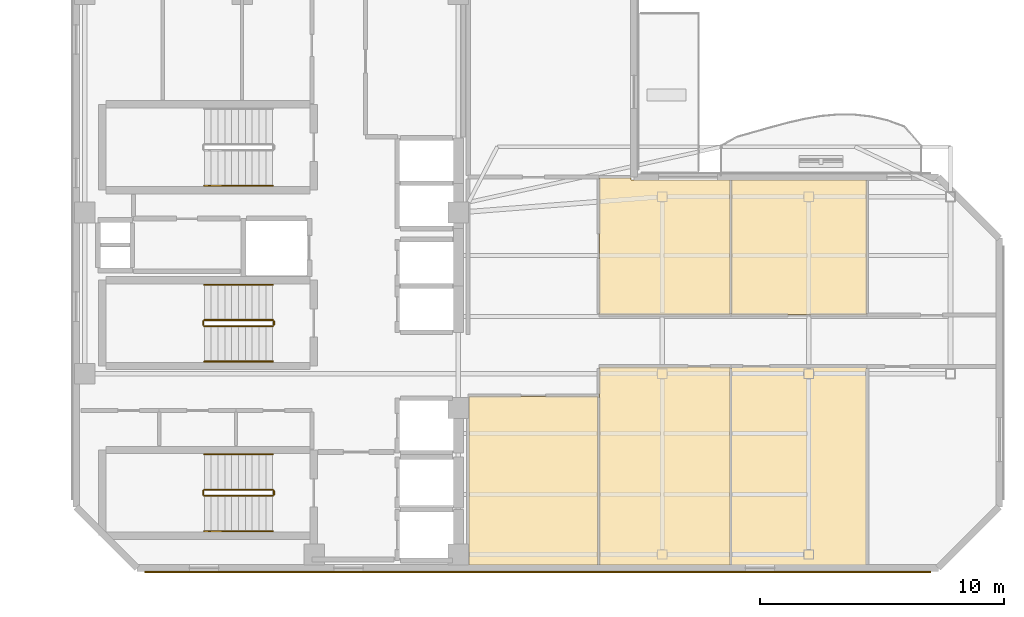
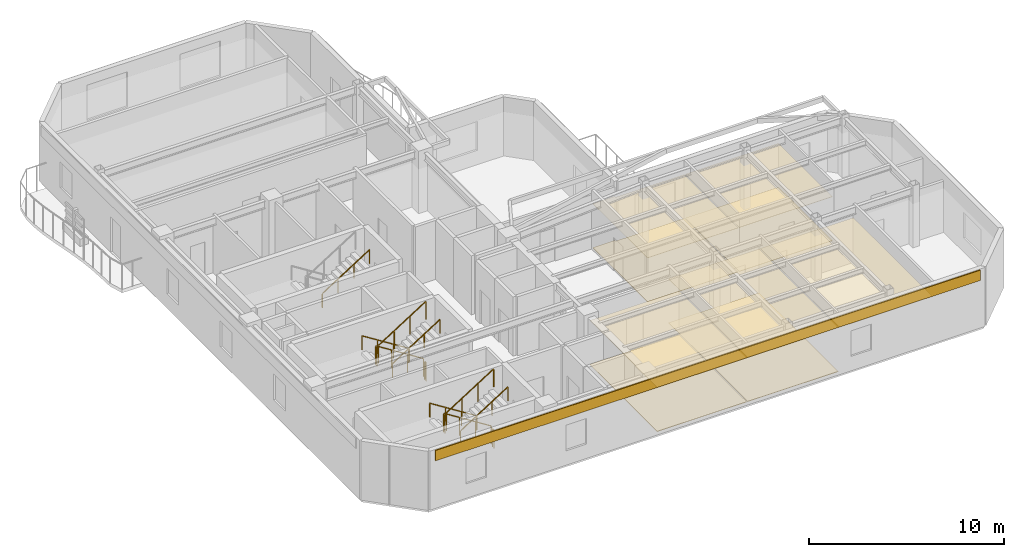
# One storey, part 6 of 8: 13 railings, 10 coverings.
"""IFC4 building model written with IfcOpenShell, lengths in metres."""

from ifc_helpers import new_model, si_unit, direction, frame, origin, origin_2d, place, context, subcontext, project, spatial, polyline, rectangle, outline, extrude, material, layer, layer_set, type_object, element, save


model = new_model("IFC4")

# Units and contexts
model_context = context("Model", 3, precision=1e-05, world=origin(), true_north=direction((0.0, 1.0)))
body_context = subcontext(model_context, "Body", "Model", "MODEL_VIEW")
ifc_project = project(units=[si_unit("LENGTHUNIT", "METRE"), si_unit("AREAUNIT", "SQUARE_METRE"), si_unit("VOLUMEUNIT", "CUBIC_METRE"), si_unit("PLANEANGLEUNIT", "RADIAN"), si_unit("MASSUNIT", "GRAM", prefix="KILO")], contexts=[model_context])

# Site, building, storey
site_placement = place(None, origin())
site = spatial("IfcSite", under=ifc_project, at=site_placement, CompositionType="ELEMENT")
building_placement = place(site_placement, origin())
building = spatial("IfcBuilding", under=site, at=building_placement, Name="Mawjaban Terraces University", CompositionType="ELEMENT")
storey_placement = place(building_placement, frame((0.0, 0.0, 248.199951171875)))
storey = spatial("IfcBuildingStorey", under=building, at=storey_placement, Name="L60", CompositionType="ELEMENT", Elevation=248.199951171875)

# Coverings
ifc_material_1 = material(Name="Acoustic mineral fibre ceiling tile", Category="masonry")
ifc_layer_1 = layer(ifc_material_1, 0.02001953125)
ifc_layer_set_1 = layer_set([ifc_layer_1], Name="Acoustic mineral fibre ceiling tile")
covering_type_1 = type_object("IfcCoveringType", Name="AcousticMineralCeiling_20", PredefinedType="CEILING", material=ifc_layer_set_1)
covering_1_placement = place(storey_placement, frame((0.0, 0.0, 2.75)))
element("IfcCovering", 1, at=covering_1_placement, inside=storey, type_object=covering_type_1, Name="L60 Classroom 1 Acoustic Ceiling", PredefinedType="CEILING", context=body_context, shape_type="SweptSolid", body=[
    extrude(outline(polyline([(38.080078125, 7.02001953125), (38.080078125, 0.114990234375), (43.3701171875, 0.114990234375), (43.3701171875, 7.02001953125), (38.080078125, 7.02001953125)])), origin(), (0.0, 0.0, 1.0), 0.02001953125),
])
covering_2_placement = place(storey_placement, frame((0.0, 0.0, 2.75)))
element("IfcCovering", 2, at=covering_2_placement, inside=storey, type_object=covering_type_1, Name="L60 Seminar Room 2 Acoustic Ceiling", PredefinedType="CEILING", context=body_context, shape_type="SweptSolid", body=[
    extrude(outline(polyline([(43.429931640625, 0.114990234375), (48.781982421875, 0.114990234375), (48.781982421875, 8.219970703125), (43.429931640625, 8.219970703125), (43.429931640625, 0.114990234375)])), origin(), (0.0, 0.0, 1.0), 0.02001953125),
])
covering_3_placement = place(storey_placement, frame((0.0, 0.0, 2.75)))
element("IfcCovering", 3, at=covering_3_placement, inside=storey, type_object=covering_type_1, Name="L60 Classroom 3 Acoustic Ceiling", PredefinedType="CEILING", context=body_context, shape_type="SweptSolid", body=[
    extrude(outline(polyline([(48.781982421875, 15.885009765625), (44.72509765625, 15.885009765625), (44.72509765625, 15.969970703125), (43.429931640625, 15.969970703125), (43.429931640625, 10.3798828125), (48.781982421875, 10.3798828125), (48.781982421875, 15.885009765625)])), origin(), (0.0, 0.0, 1.0), 0.02001953125),
])
covering_4_placement = place(storey_placement, frame((0.0, 0.0, 2.75)))
element("IfcCovering", 4, at=covering_4_placement, inside=storey, type_object=covering_type_1, Name="L60 Teaching Laboratory 4 Acoustic Ceiling", PredefinedType="CEILING", context=body_context, shape_type="SweptSolid", body=[
    extrude(outline(polyline([(48.842041015625, 0.114990234375), (54.35791015625, 0.114990234375), (54.35791015625, 8.219970703125), (48.842041015625, 8.219970703125), (48.842041015625, 0.114990234375)])), origin(), (0.0, 0.0, 1.0), 0.02001953125),
])
covering_5_placement = place(storey_placement, frame((0.0, 0.0, 2.75)))
element("IfcCovering", 5, at=covering_5_placement, inside=storey, type_object=covering_type_1, Name="L60 Seminar Room 5 Acoustic Ceiling", PredefinedType="CEILING", context=body_context, shape_type="SweptSolid", body=[
    extrude(outline(polyline([(54.35791015625, 15.885009765625), (48.842041015625, 15.885009765625), (48.842041015625, 10.3798828125), (54.35791015625, 10.3798828125), (54.35791015625, 15.885009765625)])), origin(), (0.0, 0.0, 1.0), 0.02001953125),
])

# Railings
ifc_material_2 = material(Name="Brushed stainless steel 316", Category="steel")
railing_type_1 = type_object("IfcRailingType", Name="StairWallHandrail_900", PredefinedType="HANDRAIL", material=ifc_material_2)
railing_1_placement = place(storey_placement, frame((30.050048828125, 4.64990234375, 0.17724609375)))
element("IfcRailing", 6, at=railing_1_placement, inside=storey, type_object=railing_type_1, Name="L60 ST-1 stair handrail 1", PredefinedType="HANDRAIL", context=body_context, shape_type="SweptSolid", body=[
    extrude(rectangle(XDim=0.048095703125, YDim=0.048095703125, at=origin_2d()), frame((0.0, 0.0, 0.8759765625), z_axis=(-0.844908973607, 0.0, 0.534910110503), x_axis=(0.0, -1.0, 0.0)), (0.0, 0.0, 1.0), 3.31396484375),
    extrude(rectangle(XDim=0.0419921875, YDim=0.0419921875, at=origin_2d()), origin(), (0.0, 0.0, 1.0), 0.851806640625),
    extrude(rectangle(XDim=0.0419921875, YDim=0.0419921875, at=origin_2d()), frame((-0.933349609375, 0.0, 0.5908203125)), (0.0, 0.0, 1.0), 0.851806640625),
    extrude(rectangle(XDim=0.0419921875, YDim=0.0419921875, at=origin_2d()), frame((-1.86669921875, 0.0, 1.181884765625)), (0.0, 0.0, 1.0), 0.851806640625),
    extrude(rectangle(XDim=0.0419921875, YDim=0.0419921875, at=origin_2d()), frame((-2.800048828125, 0.0, 1.772705078125)), (0.0, 0.0, 1.0), 0.851806640625),
])
for number, where, name in (
    (7, (27.25, 1.5, 2.12744140625), "L60 ST-1 stair handrail 2"),
    (8, (27.25, 15.64990234375, 2.12744140625), "L60 ST-2 stair handrail 2"),
):
    element("IfcRailing", number, at=place(storey_placement, frame(where)), inside=storey, type_object=railing_type_1, Name=name, PredefinedType="HANDRAIL", context=body_context, shape_type="SweptSolid", body=[
        extrude(rectangle(XDim=0.048095703125, YDim=0.048095703125, at=origin_2d()), frame((0.0, 0.0, 0.8759765625), z_axis=(0.844908973607, 0.0, 0.534910110503), x_axis=(0.0, 1.0, 0.0)), (0.0, 0.0, 1.0), 3.31396484375),
        extrude(rectangle(XDim=0.0419921875, YDim=0.0419921875, at=origin_2d()), origin(), (0.0, 0.0, 1.0), 0.851806640625),
        extrude(rectangle(XDim=0.0419921875, YDim=0.0419921875, at=origin_2d()), frame((0.933349609375, 0.0, 0.5908203125)), (0.0, 0.0, 1.0), 0.851806640625),
        extrude(rectangle(XDim=0.0419921875, YDim=0.0419921875, at=origin_2d()), frame((1.86669921875, 0.0, 1.181884765625)), (0.0, 0.0, 1.0), 0.851806640625),
        extrude(rectangle(XDim=0.0419921875, YDim=0.0419921875, at=origin_2d()), frame((2.800048828125, 0.0, 1.772705078125)), (0.0, 0.0, 1.0), 0.851806640625),
    ])
railing_2_placement = place(storey_placement, frame((30.050048828125, 11.60009765625, 0.17724609375)))
element("IfcRailing", 9, at=railing_2_placement, inside=storey, type_object=railing_type_1, Name="L60 ST-3 stair handrail 1", PredefinedType="HANDRAIL", context=body_context, shape_type="SweptSolid", body=[
    extrude(rectangle(XDim=0.048095703125, YDim=0.048095703125, at=origin_2d()), frame((0.0, 0.0, 0.8759765625), z_axis=(-0.844908973607, 0.0, 0.534910110503), x_axis=(0.0, -1.0, 0.0)), (0.0, 0.0, 1.0), 3.31396484375),
    extrude(rectangle(XDim=0.0419921875, YDim=0.0419921875, at=origin_2d()), origin(), (0.0, 0.0, 1.0), 0.851806640625),
    extrude(rectangle(XDim=0.0419921875, YDim=0.0419921875, at=origin_2d()), frame((-0.933349609375, 0.0, 0.5908203125)), (0.0, 0.0, 1.0), 0.851806640625),
    extrude(rectangle(XDim=0.0419921875, YDim=0.0419921875, at=origin_2d()), frame((-1.86669921875, 0.0, 1.181884765625)), (0.0, 0.0, 1.0), 0.851806640625),
    extrude(rectangle(XDim=0.0419921875, YDim=0.0419921875, at=origin_2d()), frame((-2.800048828125, 0.0, 1.772705078125)), (0.0, 0.0, 1.0), 0.851806640625),
])
railing_3_placement = place(storey_placement, frame((27.25, 8.449951171875, 2.12744140625)))
element("IfcRailing", 10, at=railing_3_placement, inside=storey, type_object=railing_type_1, Name="L60 ST-3 stair handrail 2", PredefinedType="HANDRAIL", context=body_context, shape_type="SweptSolid", body=[
    extrude(rectangle(XDim=0.048095703125, YDim=0.048095703125, at=origin_2d()), frame((0.0, 0.0, 0.8759765625), z_axis=(0.844908973607, 0.0, 0.534910110503), x_axis=(0.0, 1.0, 0.0)), (0.0, 0.0, 1.0), 3.31396484375),
    extrude(rectangle(XDim=0.0419921875, YDim=0.0419921875, at=origin_2d()), origin(), (0.0, 0.0, 1.0), 0.851806640625),
    extrude(rectangle(XDim=0.0419921875, YDim=0.0419921875, at=origin_2d()), frame((0.933349609375, 0.0, 0.5908203125)), (0.0, 0.0, 1.0), 0.851806640625),
    extrude(rectangle(XDim=0.0419921875, YDim=0.0419921875, at=origin_2d()), frame((1.86669921875, 0.0, 1.181884765625)), (0.0, 0.0, 1.0), 0.851806640625),
    extrude(rectangle(XDim=0.0419921875, YDim=0.0419921875, at=origin_2d()), frame((2.800048828125, 0.0, 1.772705078125)), (0.0, 0.0, 1.0), 0.851806640625),
])
ifc_material_3 = material(Name="Galvanised painted steel S355", Category="steel")
railing_type_2 = type_object("IfcRailingType", Name="StairWellGuard_1150", PredefinedType="BALUSTRADE", material=ifc_material_3)
railing_4_placement = place(storey_placement, frame((30.050048828125, 3.199951171875, 0.17724609375)))
element("IfcRailing", 11, at=railing_4_placement, inside=storey, type_object=railing_type_2, Name="L60 ST-1 stair guard 1", PredefinedType="BALUSTRADE", context=body_context, shape_type="SweptSolid", body=[
    extrude(rectangle(XDim=0.048095703125, YDim=0.048095703125, at=origin_2d()), frame((0.0, 0.0, 1.1259765625), z_axis=(-0.844908973607, 0.0, 0.534910110503), x_axis=(0.0, -1.0, 0.0)), (0.0, 0.0, 1.0), 3.31396484375),
    extrude(rectangle(XDim=0.0419921875, YDim=0.0419921875, at=origin_2d()), origin(), (0.0, 0.0, 1.0), 1.101806640625),
    extrude(rectangle(XDim=0.0419921875, YDim=0.0419921875, at=origin_2d()), frame((-0.933349609375, 0.0, 0.5908203125)), (0.0, 0.0, 1.0), 1.101806640625),
    extrude(rectangle(XDim=0.0419921875, YDim=0.0419921875, at=origin_2d()), frame((-1.86669921875, 0.0, 1.181884765625)), (0.0, 0.0, 1.0), 1.101806640625),
    extrude(rectangle(XDim=0.0419921875, YDim=0.0419921875, at=origin_2d()), frame((-2.800048828125, 0.0, 1.772705078125)), (0.0, 0.0, 1.0), 1.101806640625),
])
railing_5_placement = place(storey_placement, frame((27.199951171875, 3.14990234375, 1.949951171875)))
element("IfcRailing", 12, at=railing_5_placement, inside=storey, type_object=railing_type_2, Name="L60 ST-1 stair guard 2", PredefinedType="BALUSTRADE", context=body_context, shape_type="SweptSolid", body=[
    extrude(rectangle(XDim=0.048095703125, YDim=0.048095703125, at=origin_2d()), frame((0.0, 0.0, 1.1259765625), z_axis=(0.0, -1.0, 0.0), x_axis=(1.0, 0.0, 0.0)), (0.0, 0.0, 1.0), 0.14990234375),
    extrude(rectangle(XDim=0.0419921875, YDim=0.0419921875, at=origin_2d()), origin(), (0.0, 0.0, 1.0), 1.101806640625),
    extrude(rectangle(XDim=0.0419921875, YDim=0.0419921875, at=origin_2d()), frame((0.0, -0.14990234375, 0.0)), (0.0, 0.0, 1.0), 1.101806640625),
])
railing_6_placement = place(storey_placement, frame((27.25, 2.949951171875, 2.12744140625)))
element("IfcRailing", 13, at=railing_6_placement, inside=storey, type_object=railing_type_2, Name="L60 ST-1 stair guard 3", PredefinedType="BALUSTRADE", context=body_context, shape_type="SweptSolid", body=[
    extrude(rectangle(XDim=0.048095703125, YDim=0.048095703125, at=origin_2d()), frame((0.0, 0.0, 1.1259765625), z_axis=(0.844908973607, 0.0, 0.534910110503), x_axis=(0.0, 1.0, 0.0)), (0.0, 0.0, 1.0), 3.31396484375),
    extrude(rectangle(XDim=0.0419921875, YDim=0.0419921875, at=origin_2d()), origin(), (0.0, 0.0, 1.0), 1.101806640625),
    extrude(rectangle(XDim=0.0419921875, YDim=0.0419921875, at=origin_2d()), frame((0.933349609375, 0.0, 0.5908203125)), (0.0, 0.0, 1.0), 1.101806640625),
    extrude(rectangle(XDim=0.0419921875, YDim=0.0419921875, at=origin_2d()), frame((1.86669921875, 0.0, 1.181884765625)), (0.0, 0.0, 1.0), 1.101806640625),
    extrude(rectangle(XDim=0.0419921875, YDim=0.0419921875, at=origin_2d()), frame((2.800048828125, 0.0, 1.772705078125)), (0.0, 0.0, 1.0), 1.101806640625),
])
railing_7_placement = place(storey_placement, frame((30.10009765625, 3.14990234375, 0.0)))
element("IfcRailing", 14, at=railing_7_placement, inside=storey, type_object=railing_type_2, Name="L60 ST-1 stair guard 4", PredefinedType="BALUSTRADE", context=body_context, shape_type="SweptSolid", body=[
    extrude(rectangle(XDim=0.048095703125, YDim=0.048095703125, at=origin_2d()), frame((0.0, 0.0, 1.1259765625), z_axis=(0.0, -1.0, 0.0), x_axis=(1.0, 0.0, 0.0)), (0.0, 0.0, 1.0), 0.14990234375),
    extrude(rectangle(XDim=0.0419921875, YDim=0.0419921875, at=origin_2d()), origin(), (0.0, 0.0, 1.0), 1.101806640625),
    extrude(rectangle(XDim=0.0419921875, YDim=0.0419921875, at=origin_2d()), frame((0.0, -0.14990234375, 0.0)), (0.0, 0.0, 1.0), 1.101806640625),
])
railing_8_placement = place(storey_placement, frame((30.050048828125, 10.14990234375, 0.17724609375)))
element("IfcRailing", 15, at=railing_8_placement, inside=storey, type_object=railing_type_2, Name="L60 ST-3 stair guard 1", PredefinedType="BALUSTRADE", context=body_context, shape_type="SweptSolid", body=[
    extrude(rectangle(XDim=0.048095703125, YDim=0.048095703125, at=origin_2d()), frame((0.0, 0.0, 1.1259765625), z_axis=(-0.844908973607, 0.0, 0.534910110503), x_axis=(0.0, -1.0, 0.0)), (0.0, 0.0, 1.0), 3.31396484375),
    extrude(rectangle(XDim=0.0419921875, YDim=0.0419921875, at=origin_2d()), origin(), (0.0, 0.0, 1.0), 1.101806640625),
    extrude(rectangle(XDim=0.0419921875, YDim=0.0419921875, at=origin_2d()), frame((-0.933349609375, 0.0, 0.5908203125)), (0.0, 0.0, 1.0), 1.101806640625),
    extrude(rectangle(XDim=0.0419921875, YDim=0.0419921875, at=origin_2d()), frame((-1.86669921875, 0.0, 1.181884765625)), (0.0, 0.0, 1.0), 1.101806640625),
    extrude(rectangle(XDim=0.0419921875, YDim=0.0419921875, at=origin_2d()), frame((-2.800048828125, 0.0, 1.772705078125)), (0.0, 0.0, 1.0), 1.101806640625),
])
railing_9_placement = place(storey_placement, frame((27.199951171875, 10.10009765625, 1.949951171875)))
element("IfcRailing", 16, at=railing_9_placement, inside=storey, type_object=railing_type_2, Name="L60 ST-3 stair guard 2", PredefinedType="BALUSTRADE", context=body_context, shape_type="SweptSolid", body=[
    extrude(rectangle(XDim=0.048095703125, YDim=0.048095703125, at=origin_2d()), frame((0.0, 0.0, 1.1259765625), z_axis=(0.0, -1.0, 0.0), x_axis=(1.0, 0.0, 0.0)), (0.0, 0.0, 1.0), 0.150146484375),
    extrude(rectangle(XDim=0.0419921875, YDim=0.0419921875, at=origin_2d()), origin(), (0.0, 0.0, 1.0), 1.101806640625),
    extrude(rectangle(XDim=0.0419921875, YDim=0.0419921875, at=origin_2d()), frame((0.0, -0.150146484375, 0.0)), (0.0, 0.0, 1.0), 1.101806640625),
])
railing_10_placement = place(storey_placement, frame((27.25, 9.89990234375, 2.12744140625)))
element("IfcRailing", 17, at=railing_10_placement, inside=storey, type_object=railing_type_2, Name="L60 ST-3 stair guard 3", PredefinedType="BALUSTRADE", context=body_context, shape_type="SweptSolid", body=[
    extrude(rectangle(XDim=0.048095703125, YDim=0.048095703125, at=origin_2d()), frame((0.0, 0.0, 1.1259765625), z_axis=(0.844908973607, 0.0, 0.534910110503), x_axis=(0.0, 1.0, 0.0)), (0.0, 0.0, 1.0), 3.31396484375),
    extrude(rectangle(XDim=0.0419921875, YDim=0.0419921875, at=origin_2d()), origin(), (0.0, 0.0, 1.0), 1.101806640625),
    extrude(rectangle(XDim=0.0419921875, YDim=0.0419921875, at=origin_2d()), frame((0.933349609375, 0.0, 0.5908203125)), (0.0, 0.0, 1.0), 1.101806640625),
    extrude(rectangle(XDim=0.0419921875, YDim=0.0419921875, at=origin_2d()), frame((1.86669921875, 0.0, 1.181884765625)), (0.0, 0.0, 1.0), 1.101806640625),
    extrude(rectangle(XDim=0.0419921875, YDim=0.0419921875, at=origin_2d()), frame((2.800048828125, 0.0, 1.772705078125)), (0.0, 0.0, 1.0), 1.101806640625),
])
railing_11_placement = place(storey_placement, frame((30.10009765625, 10.10009765625, 0.0)))
element("IfcRailing", 18, at=railing_11_placement, inside=storey, type_object=railing_type_2, Name="L60 ST-3 stair guard 4", PredefinedType="BALUSTRADE", context=body_context, shape_type="SweptSolid", body=[
    extrude(rectangle(XDim=0.048095703125, YDim=0.048095703125, at=origin_2d()), frame((0.0, 0.0, 1.1259765625), z_axis=(0.0, -1.0, 0.0), x_axis=(1.0, 0.0, 0.0)), (0.0, 0.0, 1.0), 0.150146484375),
    extrude(rectangle(XDim=0.0419921875, YDim=0.0419921875, at=origin_2d()), origin(), (0.0, 0.0, 1.0), 1.101806640625),
    extrude(rectangle(XDim=0.0419921875, YDim=0.0419921875, at=origin_2d()), frame((0.0, -0.150146484375, 0.0)), (0.0, 0.0, 1.0), 1.101806640625),
])

# Coverings
ifc_material_4 = material(Name="Glazed architectural terracotta rainscreen", Category="masonry")
ifc_layer_2 = layer(ifc_material_4, 0.06005859375)
ifc_layer_set_2 = layer_set([ifc_layer_2], Name="Glazed architectural terracotta rainscreen")
covering_type_2 = type_object("IfcCoveringType", Name="TerracottaSpandrelCladding_60", PredefinedType="CLADDING", material=ifc_layer_set_2)
covering_6_placement = place(storey_placement, frame((40.89990234375, -0.1630859375, 3.01513671875), z_axis=(0.0, 0.0, 1.0), x_axis=(1.0, 0.0, 0.0)))
element("IfcCovering", 19, at=covering_6_placement, inside=storey, type_object=covering_type_2, Name="L60 Terracotta Spandrel Cladding 1", PredefinedType="CLADDING", context=body_context, shape_type="SweptSolid", body=[
    extrude(rectangle(XDim=32.199951171875, YDim=0.06005859375, at=origin_2d()), origin(), (0.0, 0.0, 1.0), 0.64990234375),
])
ifc_material_5 = material(Name="Polished Hijazi granite terrazzo flooring", Category="masonry")
ifc_layer_3 = layer(ifc_material_5, 0.02490234375)
ifc_layer_set_3 = layer_set([ifc_layer_3], Name="Polished Hijazi granite terrazzo flooring")
covering_type_3 = type_object("IfcCoveringType", Name="TerrazzoConcourseFlooring_25", PredefinedType="FLOORING", material=ifc_layer_set_3)
covering_7_placement = place(storey_placement, origin())
element("IfcCovering", 20, at=covering_7_placement, inside=storey, type_object=covering_type_3, Name="L60 Classroom 1 Terrazzo Flooring", PredefinedType="FLOORING", context=body_context, shape_type="SweptSolid", body=[
    extrude(outline(polyline([(38.080078125, 7.02001953125), (38.080078125, 0.114990234375), (43.3701171875, 0.114990234375), (43.3701171875, 7.02001953125), (38.080078125, 7.02001953125)])), origin(), (0.0, 0.0, 1.0), 0.025146484375),
])
covering_8_placement = place(storey_placement, origin())
element("IfcCovering", 21, at=covering_8_placement, inside=storey, type_object=covering_type_3, Name="L60 Seminar Room 2 Terrazzo Flooring", PredefinedType="FLOORING", context=body_context, shape_type="SweptSolid", body=[
    extrude(outline(polyline([(43.429931640625, 0.114990234375), (48.781982421875, 0.114990234375), (48.781982421875, 8.219970703125), (43.429931640625, 8.219970703125), (43.429931640625, 0.114990234375)])), origin(), (0.0, 0.0, 1.0), 0.025146484375),
])
covering_9_placement = place(storey_placement, origin())
element("IfcCovering", 22, at=covering_9_placement, inside=storey, type_object=covering_type_3, Name="L60 Classroom 3 Terrazzo Flooring", PredefinedType="FLOORING", context=body_context, shape_type="SweptSolid", body=[
    extrude(outline(polyline([(48.781982421875, 15.885009765625), (44.72509765625, 15.885009765625), (44.72509765625, 15.969970703125), (43.429931640625, 15.969970703125), (43.429931640625, 10.3798828125), (48.781982421875, 10.3798828125), (48.781982421875, 15.885009765625)])), origin(), (0.0, 0.0, 1.0), 0.025146484375),
])
covering_10_placement = place(storey_placement, origin())
element("IfcCovering", 23, at=covering_10_placement, inside=storey, type_object=covering_type_3, Name="L60 Seminar Room 5 Terrazzo Flooring", PredefinedType="FLOORING", context=body_context, shape_type="SweptSolid", body=[
    extrude(outline(polyline([(54.35791015625, 15.885009765625), (48.842041015625, 15.885009765625), (48.842041015625, 10.3798828125), (54.35791015625, 10.3798828125), (54.35791015625, 15.885009765625)])), origin(), (0.0, 0.0, 1.0), 0.025146484375),
])

save(model, "model.ifc")
